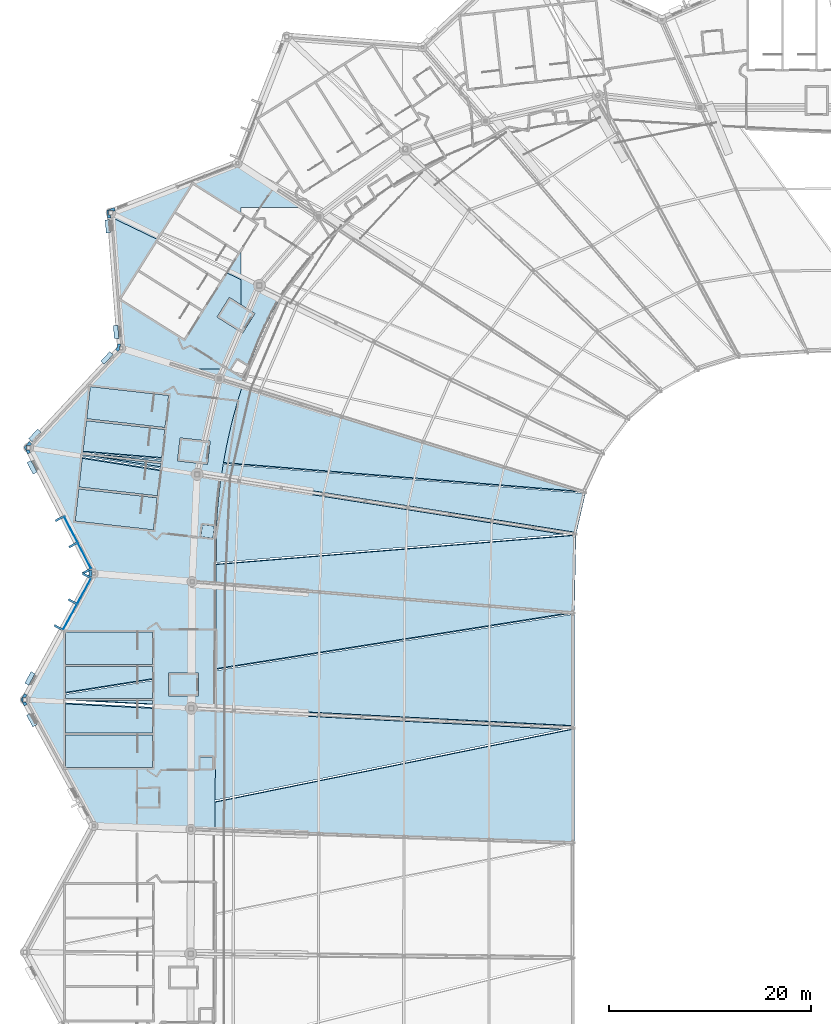
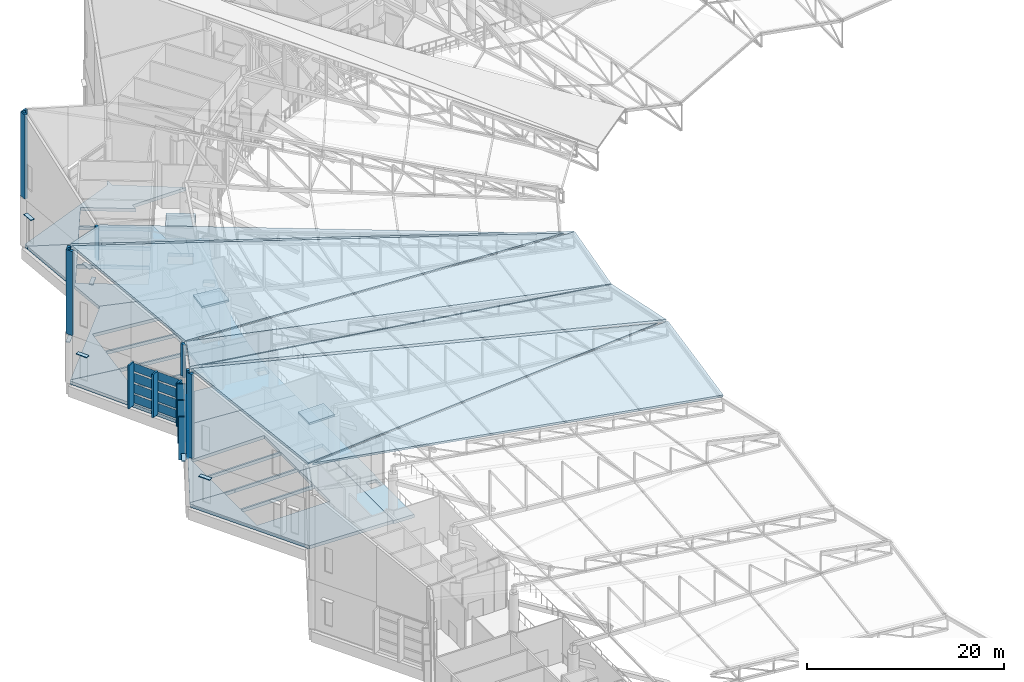
# One storey, part 235 of 344: 34 plates, 19 slabs, 2 elements without a shape of their own.
"""IFC4 building model written with IfcOpenShell, lengths in metres."""

from ifc_helpers import new_model, si_unit, direction, frame, origin, origin_2d, place, context, subcontext, project, spatial, polyline, rectangle, outline, extrude, material, layer, layer_set, type_object, element, aggregate, save


model = new_model("IFC4")

# Units and contexts
model_context = context("Model", 3, precision=1e-05, world=origin(), true_north=direction((0.0, 1.0)))
body_context = subcontext(model_context, "Body", "Model", "MODEL_VIEW")
ifc_project = project(units=[si_unit("LENGTHUNIT", "METRE"), si_unit("AREAUNIT", "SQUARE_METRE"), si_unit("VOLUMEUNIT", "CUBIC_METRE"), si_unit("PLANEANGLEUNIT", "RADIAN"), si_unit("MASSUNIT", "GRAM", prefix="KILO")], contexts=[model_context])

# Site, building, storey
site_placement = place(None, origin())
site = spatial("IfcSite", under=ifc_project, at=site_placement, CompositionType="ELEMENT")
building_placement = place(site_placement, origin())
building = spatial("IfcBuilding", under=site, at=building_placement, Name="Meseta Stadium", CompositionType="ELEMENT")
storey_placement = place(building_placement, frame((0.0, 0.0, 24.0)))
storey = spatial("IfcBuildingStorey", under=building, at=storey_placement, Name="L04", CompositionType="ELEMENT", Elevation=24.0)

# Plates
ifc_material_1 = material(Name="White precast concrete C40/50", Category="concrete")
ifc_layer_1 = layer(ifc_material_1, 0.199951171875)
ifc_layer_set_1 = layer_set([ifc_layer_1], Name="Brise-soleil fin 200x900")
plate_type_1 = type_object("IfcPlateType", Name="Brise-soleil fin 200x900", PredefinedType="USERDEFINED", material=ifc_layer_set_1)
for number, where, z_axis, x_axis, name in (
    (1, (-97.99853515625, 49.168701171875, 0.0), (0.0, 0.0, 1.0), (0.460015515268, -0.887910877122, 0.0), "Brise-soleil fin F28.1"),
    (2, (-96.653076171875, 46.571533203125, 0.0), (0.0, 0.0, 1.0), (0.460015515268, -0.887910877122, 0.0), "Brise-soleil fin F28.2"),
    (3, (-95.3076171875, 43.974365234375, 0.0), (0.0, 0.0, 1.0), (0.460015515268, -0.887910877122, 0.0), "Brise-soleil fin F28.3"),
    (4, (-95.31201171875, 43.539794921875, 0.0), (0.0, 0.0, 1.0), (-0.477867090202, -0.878432151109, 0.0), "Brise-soleil fin F29.1"),
    (5, (-96.709716796875, 40.970458984375, 0.0), (0.0, 0.0, 1.0), (-0.477867090202, -0.878432151109, 0.0), "Brise-soleil fin F29.2"),
    (6, (-98.107421875, 38.401123046875, 0.0), (0.0, 0.0, 1.0), (-0.477867090202, -0.878432151109, 0.0), "Brise-soleil fin F29.3"),
):
    element("IfcPlate", number, at=place(storey_placement, frame(where, z_axis=z_axis, x_axis=x_axis)), inside=storey, type_object=plate_type_1, Name=name, ObjectType="FIN", PredefinedType="USERDEFINED", context=body_context, shape_type="SweptSolid", body=[
        extrude(rectangle(XDim=0.199951171875, YDim=0.89990234375, at=origin_2d()), origin(), (0.0, 0.0, 1.0), 5.35009765625),
    ])

# Curtain wall, plates
ifc_material_2 = material(Name="Steel S355", Category="steel")
ifc_layer_2 = layer(ifc_material_2, 0.300048828125)
ifc_layer_set_2 = layer_set([ifc_layer_2], Name="Valley atrium curtain wall")
curtain_wall_type = type_object("IfcCurtainWallType", Name="Valley atrium curtain wall", PredefinedType="NOTDEFINED", material=ifc_layer_set_2)
curtain_wall_1_placement = place(storey_placement, origin())
curtain_wall_1 = element("IfcCurtainWall", 7, at=curtain_wall_1_placement, inside=storey, type_object=curtain_wall_type, Name="Valley atrium glazing F28", PredefinedType="NOTDEFINED")
ifc_material_3 = material(Name="Glass", Category="glass")
ifc_layer_3 = layer(ifc_material_3, 0.035888671875)
ifc_layer_set_3 = layer_set([ifc_layer_3], Name="CW glass panel 36")
plate_type_2 = type_object("IfcPlateType", Name="CW glass panel 36", PredefinedType="CURTAIN_PANEL", material=ifc_layer_set_3)
plate_1_placement = place(storey_placement, frame((-96.859619140625, 48.111572265625, 0.199951171875), z_axis=(0.0, 0.0, 1.0), x_axis=(0.460015515377, -0.887910877066, 0.0)))
plate_1 = element("IfcPlate", 8, at=plate_1_placement, type_object=plate_type_2, Name="CWA panel 1.1", PredefinedType="CURTAIN_PANEL", context=body_context, shape_type="SweptSolid", body=[
    extrude(rectangle(XDim=2.77490234375, YDim=0.035888671875, at=origin_2d()), origin(), (0.0, 0.0, 1.0), 1.03759765625),
])
plate_2_placement = place(storey_placement, frame((-96.859619140625, 48.111572265625, 1.4375), z_axis=(0.0, 0.0, 1.0), x_axis=(0.460015515377, -0.887910877066, 0.0)))
plate_2 = element("IfcPlate", 9, at=plate_2_placement, type_object=plate_type_2, Name="CWA panel 1.2", PredefinedType="CURTAIN_PANEL", context=body_context, shape_type="SweptSolid", body=[
    extrude(rectangle(XDim=2.77490234375, YDim=0.035888671875, at=origin_2d()), origin(), (0.0, 0.0, 1.0), 1.137451171875),
])
plate_3_placement = place(storey_placement, frame((-96.859619140625, 48.111572265625, 2.77490234375), z_axis=(0.0, 0.0, 1.0), x_axis=(0.460015515377, -0.887910877066, 0.0)))
plate_3 = element("IfcPlate", 10, at=plate_3_placement, type_object=plate_type_2, Name="CWA panel 1.3", PredefinedType="CURTAIN_PANEL", context=body_context, shape_type="SweptSolid", body=[
    extrude(rectangle(XDim=2.77490234375, YDim=0.035888671875, at=origin_2d()), origin(), (0.0, 0.0, 1.0), 1.137451171875),
])
plate_4_placement = place(storey_placement, frame((-96.859619140625, 48.111572265625, 4.112548828125), z_axis=(0.0, 0.0, 1.0), x_axis=(0.460015515377, -0.887910877066, 0.0)))
plate_4 = element("IfcPlate", 11, at=plate_4_placement, type_object=plate_type_2, Name="CWA panel 1.4", PredefinedType="CURTAIN_PANEL", context=body_context, shape_type="SweptSolid", body=[
    extrude(rectangle(XDim=2.77490234375, YDim=0.035888671875, at=origin_2d()), origin(), (0.0, 0.0, 1.0), 1.03759765625),
])
plate_5_placement = place(storey_placement, frame((-95.51416015625, 45.514404296875, 0.199951171875), z_axis=(0.0, 0.0, 1.0), x_axis=(0.460015515377, -0.887910877066, 0.0)))
plate_5 = element("IfcPlate", 12, at=plate_5_placement, type_object=plate_type_2, Name="CWA panel 2.1", PredefinedType="CURTAIN_PANEL", context=body_context, shape_type="SweptSolid", body=[
    extrude(rectangle(XDim=2.77490234375, YDim=0.035888671875, at=origin_2d()), origin(), (0.0, 0.0, 1.0), 1.03759765625),
])
plate_6_placement = place(storey_placement, frame((-95.51416015625, 45.514404296875, 1.4375), z_axis=(0.0, 0.0, 1.0), x_axis=(0.460015515377, -0.887910877066, 0.0)))
plate_6 = element("IfcPlate", 13, at=plate_6_placement, type_object=plate_type_2, Name="CWA panel 2.2", PredefinedType="CURTAIN_PANEL", context=body_context, shape_type="SweptSolid", body=[
    extrude(rectangle(XDim=2.77490234375, YDim=0.035888671875, at=origin_2d()), origin(), (0.0, 0.0, 1.0), 1.137451171875),
])
plate_7_placement = place(storey_placement, frame((-95.51416015625, 45.514404296875, 2.77490234375), z_axis=(0.0, 0.0, 1.0), x_axis=(0.460015515377, -0.887910877066, 0.0)))
plate_7 = element("IfcPlate", 14, at=plate_7_placement, type_object=plate_type_2, Name="CWA panel 2.3", PredefinedType="CURTAIN_PANEL", context=body_context, shape_type="SweptSolid", body=[
    extrude(rectangle(XDim=2.77490234375, YDim=0.035888671875, at=origin_2d()), origin(), (0.0, 0.0, 1.0), 1.137451171875),
])
plate_8_placement = place(storey_placement, frame((-95.51416015625, 45.514404296875, 4.112548828125), z_axis=(0.0, 0.0, 1.0), x_axis=(0.460015515377, -0.887910877066, 0.0)))
plate_8 = element("IfcPlate", 15, at=plate_8_placement, type_object=plate_type_2, Name="CWA panel 2.4", PredefinedType="CURTAIN_PANEL", context=body_context, shape_type="SweptSolid", body=[
    extrude(rectangle(XDim=2.77490234375, YDim=0.035888671875, at=origin_2d()), origin(), (0.0, 0.0, 1.0), 1.03759765625),
])
aggregate(curtain_wall_1, [plate_1, plate_2, plate_3, plate_4, plate_5, plate_6, plate_7, plate_8])

curtain_wall_2_placement = place(storey_placement, origin())
curtain_wall_2 = element("IfcCurtainWall", 16, at=curtain_wall_2_placement, inside=storey, type_object=curtain_wall_type, Name="Valley atrium glazing F29", PredefinedType="NOTDEFINED")
plate_9_placement = place(storey_placement, frame((-95.5498046875, 42.004150390625, 0.199951171875), z_axis=(0.0, 0.0, 1.0), x_axis=(-0.477867090218, -0.8784321511, 0.0)))
plate_9 = element("IfcPlate", 17, at=plate_9_placement, type_object=plate_type_2, Name="CWA panel 1.1", PredefinedType="CURTAIN_PANEL", context=body_context, shape_type="SweptSolid", body=[
    extrude(rectangle(XDim=2.77490234375, YDim=0.035888671875, at=origin_2d()), origin(), (0.0, 0.0, 1.0), 1.03759765625),
])
plate_10_placement = place(storey_placement, frame((-95.5498046875, 42.004150390625, 1.4375), z_axis=(0.0, 0.0, 1.0), x_axis=(-0.477867090218, -0.8784321511, 0.0)))
plate_10 = element("IfcPlate", 18, at=plate_10_placement, type_object=plate_type_2, Name="CWA panel 1.2", PredefinedType="CURTAIN_PANEL", context=body_context, shape_type="SweptSolid", body=[
    extrude(rectangle(XDim=2.77490234375, YDim=0.035888671875, at=origin_2d()), origin(), (0.0, 0.0, 1.0), 1.137451171875),
])
plate_11_placement = place(storey_placement, frame((-95.5498046875, 42.004150390625, 2.77490234375), z_axis=(0.0, 0.0, 1.0), x_axis=(-0.477867090218, -0.8784321511, 0.0)))
plate_11 = element("IfcPlate", 19, at=plate_11_placement, type_object=plate_type_2, Name="CWA panel 1.3", PredefinedType="CURTAIN_PANEL", context=body_context, shape_type="SweptSolid", body=[
    extrude(rectangle(XDim=2.77490234375, YDim=0.035888671875, at=origin_2d()), origin(), (0.0, 0.0, 1.0), 1.137451171875),
])
plate_12_placement = place(storey_placement, frame((-95.5498046875, 42.004150390625, 4.112548828125), z_axis=(0.0, 0.0, 1.0), x_axis=(-0.477867090218, -0.8784321511, 0.0)))
plate_12 = element("IfcPlate", 20, at=plate_12_placement, type_object=plate_type_2, Name="CWA panel 1.4", PredefinedType="CURTAIN_PANEL", context=body_context, shape_type="SweptSolid", body=[
    extrude(rectangle(XDim=2.77490234375, YDim=0.035888671875, at=origin_2d()), origin(), (0.0, 0.0, 1.0), 1.03759765625),
])
plate_13_placement = place(storey_placement, frame((-96.947509765625, 39.434814453125, 0.199951171875), z_axis=(0.0, 0.0, 1.0), x_axis=(-0.477867090218, -0.8784321511, 0.0)))
plate_13 = element("IfcPlate", 21, at=plate_13_placement, type_object=plate_type_2, Name="CWA panel 2.1", PredefinedType="CURTAIN_PANEL", context=body_context, shape_type="SweptSolid", body=[
    extrude(rectangle(XDim=2.77490234375, YDim=0.035888671875, at=origin_2d()), origin(), (0.0, 0.0, 1.0), 1.03759765625),
])
plate_14_placement = place(storey_placement, frame((-96.947509765625, 39.434814453125, 1.4375), z_axis=(0.0, 0.0, 1.0), x_axis=(-0.477867090218, -0.8784321511, 0.0)))
plate_14 = element("IfcPlate", 22, at=plate_14_placement, type_object=plate_type_2, Name="CWA panel 2.2", PredefinedType="CURTAIN_PANEL", context=body_context, shape_type="SweptSolid", body=[
    extrude(rectangle(XDim=2.77490234375, YDim=0.035888671875, at=origin_2d()), origin(), (0.0, 0.0, 1.0), 1.137451171875),
])
plate_15_placement = place(storey_placement, frame((-96.947509765625, 39.434814453125, 2.77490234375), z_axis=(0.0, 0.0, 1.0), x_axis=(-0.477867090218, -0.8784321511, 0.0)))
plate_15 = element("IfcPlate", 23, at=plate_15_placement, type_object=plate_type_2, Name="CWA panel 2.3", PredefinedType="CURTAIN_PANEL", context=body_context, shape_type="SweptSolid", body=[
    extrude(rectangle(XDim=2.77490234375, YDim=0.035888671875, at=origin_2d()), origin(), (0.0, 0.0, 1.0), 1.137451171875),
])
plate_16_placement = place(storey_placement, frame((-96.947509765625, 39.434814453125, 4.112548828125), z_axis=(0.0, 0.0, 1.0), x_axis=(-0.477867090218, -0.8784321511, 0.0)))
plate_16 = element("IfcPlate", 24, at=plate_16_placement, type_object=plate_type_2, Name="CWA panel 2.4", PredefinedType="CURTAIN_PANEL", context=body_context, shape_type="SweptSolid", body=[
    extrude(rectangle(XDim=2.77490234375, YDim=0.035888671875, at=origin_2d()), origin(), (0.0, 0.0, 1.0), 1.03759765625),
])
aggregate(curtain_wall_2, [plate_9, plate_10, plate_11, plate_12, plate_13, plate_14, plate_15, plate_16])

# Slabs
ifc_material_4 = material(Name="Concrete C40/50", Category="concrete")
ifc_layer_4 = layer(ifc_material_4, 0.25)
ifc_layer_set_4 = layer_set([ifc_layer_4], Name="Core roof slab 250")
slab_type_1 = type_object("IfcSlabType", Name="Core roof slab 250", PredefinedType="ROOF", material=ifc_layer_set_4)
slab_1_placement = place(storey_placement, frame((0.0, 0.0, 4.60009765625)))
element("IfcSlab", 25, at=slab_1_placement, inside=storey, type_object=slab_type_1, Name="Core 14 lift overrun roof", PredefinedType="ROOF", context=body_context, shape_type="SweptSolid", body=[
    extrude(outline(polyline([(-81.16796875, 71.093505859375), (-78.627685546875, 69.49755859375), (-79.851318359375, 67.550048828125), (-82.3916015625, 69.14599609375), (-81.16796875, 71.093505859375)])), origin(), (0.0, 0.0, 1.0), 0.25),
])
slab_2_placement = place(storey_placement, frame((0.0, 0.0, 4.60009765625)))
element("IfcSlab", 26, at=slab_2_placement, inside=storey, type_object=slab_type_1, Name="Core 15 lift overrun roof", PredefinedType="ROOF", context=body_context, shape_type="SweptSolid", body=[
    extrude(outline(polyline([(-86.048095703125, 57.17919921875), (-83.06689453125, 56.84326171875), (-83.324462890625, 54.5576171875), (-86.305419921875, 54.8935546875), (-86.048095703125, 57.17919921875)])), origin(), (0.0, 0.0, 1.0), 0.25),
])
slab_3_placement = place(storey_placement, frame((0.0, 0.0, 4.60009765625)))
element("IfcSlab", 27, at=slab_3_placement, inside=storey, type_object=slab_type_1, Name="Core 16 lift overrun roof", PredefinedType="ROOF", context=body_context, shape_type="SweptSolid", body=[
    extrude(outline(polyline([(-87.199951171875, 33.89990234375), (-84.199951171875, 33.89990234375), (-84.199951171875, 31.60009765625), (-87.199951171875, 31.60009765625), (-87.199951171875, 33.89990234375)])), origin(), (0.0, 0.0, 1.0), 0.25),
])
ifc_material_5 = material(Name="Concrete C40/50", Category="concrete")
ifc_layer_5 = layer(ifc_material_5, 0.39990234375)
ifc_layer_set_5 = layer_set([ifc_layer_5], Name="Floor slab 400")
slab_type_2 = type_object("IfcSlabType", Name="Floor slab 400", PredefinedType="FLOOR", material=ifc_layer_set_5)
slab_4_placement = place(storey_placement, frame((0.0, 0.0, -0.39990234375)))
element("IfcSlab", 28, at=slab_4_placement, inside=storey, type_object=slab_type_2, Name="Floor slab L04 sector 21 panel 01", PredefinedType="FLOOR", context=body_context, shape_type="SweptSolid", body=[
    extrude(outline(polyline([(-87.94580078125, 54.62548828125), (-87.985595703125, 54.272216796875), (-84.335693359375, 53.68408203125), (-84.0673828125, 54.842529296875), (-86.08447265625, 55.06982421875), (-85.87158203125, 56.9580078125), (-83.635498046875, 56.7060546875), (-82.169189453125, 63.03369140625), (-81.75390625, 64.0), (-84.956787109375, 64.0), (-91.8818359375, 66.171142578125), (-91.872802734375, 66.051513671875), (-100.910888671875, 56.353759765625), (-95.3837890625, 55.463623046875), (-87.94580078125, 54.62548828125)]), holes=[polyline([(-95.67431640625, 55.697509765625), (-95.316162109375, 58.87744140625), (-87.565185546875, 58.004150390625), (-87.923583984375, 54.82421875), (-95.67431640625, 55.697509765625)]), polyline([(-95.293701171875, 59.076171875), (-94.935302734375, 62.256103515625), (-87.1845703125, 61.3828125), (-87.542724609375, 58.202880859375), (-95.293701171875, 59.076171875)])]), origin(), (0.0, 0.0, 1.0), 0.39990234375),
])
slab_5_placement = place(storey_placement, frame((0.0, 0.0, -0.39990234375)))
element("IfcSlab", 29, at=slab_5_placement, inside=storey, type_object=slab_type_2, Name="Floor slab L04 sector 21 panel 02", PredefinedType="FLOOR", context=body_context, shape_type="SweptSolid", body=[
    extrude(outline(polyline([(-82.11572265625, 69.208984375), (-81.10498046875, 70.81787109375), (-80.0, 70.12353515625), (-80.0, 72.84228515625), (-81.504150390625, 73.565673828125), (-82.01708984375, 72.749267578125), (-88.282958984375, 76.686279296875), (-88.2158203125, 76.793212890625), (-92.87451171875, 79.03369140625), (-91.8818359375, 66.171142578125), (-84.956787109375, 64.0), (-81.75390625, 64.0), (-82.13427734375, 63.114990234375), (-79.852783203125, 62.399658203125), (-79.347412109375, 63.8759765625), (-79.30078125, 64.0), (-78.799072265625, 65.337158203125), (-78.208984375, 66.782470703125), (-77.5771484375, 68.21044921875), (-76.904296875, 69.6201171875), (-76.15234375, 70.99169921875), (-78.303466796875, 72.0263671875), (-79.308349609375, 69.68896484375), (-78.903564453125, 69.4345703125), (-79.914306640625, 67.82568359375), (-82.11572265625, 69.208984375)]), holes=[polyline([(-81.015625, 63.91162109375), (-80.377197265625, 64.927734375), (-79.361083984375, 64.289306640625), (-80.0, 63.273681640625), (-81.015625, 63.91162109375)]), polyline([(-83.9326171875, 69.700927734375), (-85.635009765625, 66.991455078125), (-91.90087890625, 70.9287109375), (-90.1982421875, 73.63818359375), (-83.9326171875, 69.700927734375)]), polyline([(-82.123779296875, 72.579833984375), (-83.826171875, 69.870361328125), (-90.091796875, 73.807373046875), (-88.389404296875, 76.516845703125), (-82.123779296875, 72.579833984375)])]), origin(), (0.0, 0.0, 1.0), 0.39990234375),
])
slab_6_placement = place(storey_placement, frame((0.0, 0.0, -0.39990234375)))
element("IfcSlab", 30, at=slab_6_placement, inside=storey, type_object=slab_type_2, Name="Floor slab L04 sector 21 panel 03", PredefinedType="FLOOR", context=body_context, shape_type="SweptSolid", body=[
    extrude(outline(polyline([(-80.124267578125, 84.98388671875), (-80.365478515625, 84.365478515625), (-92.908447265625, 79.474609375), (-92.87451171875, 79.03369140625), (-88.2158203125, 76.793212890625), (-86.58056640625, 79.395751953125), (-80.314697265625, 75.458740234375), (-81.504150390625, 73.565673828125), (-80.0, 72.84228515625), (-80.0, 70.12353515625), (-79.308349609375, 69.68896484375), (-78.197998046875, 72.27197265625), (-80.0, 73.154296875), (-80.0, 75.959716796875), (-80.208251953125, 75.628173828125), (-86.47412109375, 79.565185546875), (-84.771484375, 82.274658203125), (-80.0, 79.276611328125), (-80.0, 80.0), (-73.699951171875, 80.0), (-80.0, 84.126220703125), (-80.0, 84.89990234375), (-80.124267578125, 84.98388671875)])), origin(), (0.0, 0.0, 1.0), 0.39990234375),
])
slab_7_placement = place(storey_placement, frame((0.0, 0.0, -0.39990234375)))
element("IfcSlab", 31, at=slab_7_placement, inside=storey, type_object=slab_type_2, Name="Floor slab L04 sector 21 panel 04", PredefinedType="FLOOR", context=body_context, shape_type="SweptSolid", body=[
    extrude(outline(polyline([(-79.852783203125, 62.399658203125), (-82.122802734375, 63.111328125), (-82.15771484375, 63.030029296875), (-83.62353515625, 56.70458984375), (-83.2880859375, 56.6669921875), (-83.500732421875, 54.77880859375), (-84.055419921875, 54.84130859375), (-84.055419921875, 54.841064453125), (-84.0556640625, 54.83984375), (-84.323974609375, 53.682373046875), (-81.974853515625, 53.303955078125), (-81.732421875, 54.83544921875), (-81.444091796875, 56.368896484375), (-81.11181640625, 57.89306640625), (-80.735595703125, 59.406982421875), (-80.31591796875, 60.90966796875), (-79.852783203125, 62.399658203125)])), origin(), (0.0, 0.0, 1.0), 0.39990234375),
])
slab_8_placement = place(storey_placement, frame((0.0, 0.0, -0.39990234375)))
element("IfcSlab", 32, at=slab_8_placement, inside=storey, type_object=slab_type_2, Name="Floor slab L04 sector 28 panel 02", PredefinedType="FLOOR", context=body_context, shape_type="SweptSolid", body=[
    extrude(outline(polyline([(-101.39990234375, 31.25), (-94.60009765625, 18.75), (-84.97314453125, 18.41064453125), (-84.939697265625, 30.533935546875), (-88.800048828125, 30.74560546875), (-88.800048828125, 27.949951171875), (-97.39990234375, 27.949951171875), (-97.39990234375, 31.14990234375), (-96.176025390625, 31.14990234375), (-101.301513671875, 31.430908203125), (-101.39990234375, 31.25)]), holes=[polyline([(-97.39990234375, 27.75), (-88.800048828125, 27.75), (-88.800048828125, 24.550048828125), (-97.39990234375, 24.550048828125), (-97.39990234375, 27.75)])]), origin(), (0.0, 0.0, 1.0), 0.39990234375),
])
slab_9_placement = place(storey_placement, frame((0.0, 0.0, -0.39990234375)))
element("IfcSlab", 33, at=slab_9_placement, inside=storey, type_object=slab_type_2, Name="Floor slab L04 sector 28 panel 03", PredefinedType="FLOOR", context=body_context, shape_type="SweptSolid", body=[
    extrude(outline(polyline([(-81.977783203125, 53.2841796875), (-87.98779296875, 54.252197265625), (-88.30419921875, 51.44580078125), (-96.05517578125, 52.319091796875), (-95.697509765625, 55.493896484375), (-100.927490234375, 56.336181640625), (-101.0517578125, 56.202880859375), (-94.60009765625, 43.75), (-94.736328125, 43.49951171875), (-82.47802734375, 42.55859375), (-82.44091796875, 48.63525390625), (-82.330810546875, 50.19287109375), (-82.176025390625, 51.74609375), (-81.977783203125, 53.2841796875)]), holes=[polyline([(-96.077392578125, 52.1201171875), (-88.326416015625, 51.246826171875), (-88.684814453125, 48.06689453125), (-96.435791015625, 48.9404296875), (-96.077392578125, 52.1201171875)]), polyline([(-83.84716796875, 48.57861328125), (-82.65478515625, 48.444091796875), (-82.7890625, 47.251708984375), (-83.9814453125, 47.385986328125), (-83.84716796875, 48.57861328125)])]), origin(), (0.0, 0.0, 1.0), 0.39990234375),
])
slab_10_placement = place(storey_placement, frame((0.0, 0.0, -0.39990234375)))
element("IfcSlab", 34, at=slab_10_placement, inside=storey, type_object=slab_type_2, Name="Floor slab L04 sector 28 panel 06", PredefinedType="FLOOR", context=body_context, shape_type="SweptSolid", body=[
    extrude(outline(polyline([(-88.800048828125, 31.14990234375), (-88.800048828125, 30.74560546875), (-82.53759765625, 30.40234375), (-82.51025390625, 36.48095703125), (-82.47802734375, 42.55859375), (-94.736328125, 43.49951171875), (-101.301513671875, 31.430908203125), (-96.176025390625, 31.14990234375), (-88.800048828125, 31.14990234375)]), holes=[polyline([(-87.0, 31.800048828125), (-87.0, 33.699951171875), (-84.39990234375, 33.699951171875), (-84.39990234375, 31.800048828125), (-87.0, 31.800048828125)]), polyline([(-88.800048828125, 31.35009765625), (-97.39990234375, 31.35009765625), (-97.39990234375, 34.550048828125), (-88.800048828125, 34.550048828125), (-88.800048828125, 31.35009765625)]), polyline([(-88.800048828125, 34.75), (-97.39990234375, 34.75), (-97.39990234375, 37.949951171875), (-88.800048828125, 37.949951171875), (-88.800048828125, 34.75)])]), origin(), (0.0, 0.0, 1.0), 0.39990234375),
])
slab_11_placement = place(storey_placement, frame((0.0, 0.0, -0.39990234375)))
element("IfcSlab", 35, at=slab_11_placement, inside=storey, type_object=slab_type_2, Name="Floor slab L04 sector 28 panel 09", PredefinedType="FLOOR", context=body_context, shape_type="SweptSolid", body=[
    extrude(outline(polyline([(-82.56640625, 22.296142578125), (-82.545654296875, 28.3759765625), (-82.53759765625, 30.40234375), (-84.939697265625, 30.533935546875), (-84.973388671875, 18.321533203125), (-82.577392578125, 18.24267578125), (-82.56640625, 22.296142578125)]), holes=[polyline([(-84.050048828125, 24.39990234375), (-84.050048828125, 25.60009765625), (-82.85009765625, 25.60009765625), (-82.85009765625, 24.39990234375), (-84.050048828125, 24.39990234375)])]), origin(), (0.0, 0.0, 1.0), 0.39990234375),
])

# Plates
ifc_material_6 = material(Name="White precast concrete C40/50", Category="concrete")
ifc_layer_6 = layer(ifc_material_6, 0.320068359375)
ifc_layer_set_6 = layer_set([ifc_layer_6], Name="Fold closer plate 320")
plate_type_3 = type_object("IfcPlateType", Name="Fold closer plate 320", PredefinedType="USERDEFINED", material=ifc_layer_set_6)
plate_17_placement = place(storey_placement, frame((0.0, 0.0, 6.0)))
element("IfcPlate", 36, at=plate_17_placement, inside=storey, type_object=plate_type_3, Name="Pleated fascia fold closer L04 F25", ObjectType="CLADDING", PredefinedType="USERDEFINED", context=body_context, shape_type="SweptSolid", body=[
    extrude(outline(polyline([(-93.2880859375, 79.712890625), (-93.22900390625, 78.94873046875), (-92.909912109375, 78.973388671875), (-92.932373046875, 79.2646484375), (-93.1083984375, 79.2646484375), (-93.1181640625, 79.271728515625), (-93.118408203125, 79.674560546875), (-93.115478515625, 79.681640625), (-93.1083984375, 79.6845703125), (-92.70654296875, 79.684326171875), (-92.698486328125, 79.675537109375), (-92.698486328125, 79.599365234375), (-92.45751953125, 79.693359375), (-92.57373046875, 79.991455078125), (-93.2880859375, 79.712890625)])), origin(), (0.0, 0.0, 1.0), 10.4326171875),
])
plate_18_placement = place(storey_placement, frame((0.0, 0.0, 6.0)))
element("IfcPlate", 37, at=plate_18_placement, inside=storey, type_object=plate_type_3, Name="Pleated fascia fold closer L04 F26", ObjectType="CLADDING", PredefinedType="USERDEFINED", context=body_context, shape_type="SweptSolid", body=[
    extrude(outline(polyline([(-92.243896484375, 66.181396484375), (-92.442626953125, 65.96826171875), (-92.20849609375, 65.75), (-92.03271484375, 65.938720703125), (-92.031005859375, 66.20703125), (-92.022705078125, 66.211669921875), (-91.92529296875, 66.211669921875), (-91.947265625, 66.496826171875), (-92.266357421875, 66.47216796875), (-92.243896484375, 66.181396484375)])), origin(), (0.0, 0.0, 1.0), 3.96484375),
])
plate_19_placement = place(storey_placement, frame((0.0, 0.0, 6.0)))
element("IfcPlate", 38, at=plate_19_placement, inside=storey, type_object=plate_type_3, Name="Pleated fascia fold closer L04 F27", ObjectType="CLADDING", PredefinedType="USERDEFINED", context=body_context, shape_type="SweptSolid", body=[
    extrude(outline(polyline([(-101.488037109375, 56.2626953125), (-101.141357421875, 55.593505859375), (-100.857421875, 55.74072265625), (-100.98779296875, 55.992919921875), (-101.251708984375, 55.992919921875), (-101.2587890625, 55.995849609375), (-101.26171875, 56.001953125), (-101.26171875, 56.40283203125), (-101.259521484375, 56.4091796875), (-101.251708984375, 56.412841796875), (-100.91064453125, 56.412841796875), (-100.740478515625, 56.595458984375), (-100.974609375, 56.813720703125), (-101.488037109375, 56.2626953125)])), origin(), (0.0, 0.0, 1.0), 10.4326171875),
])
plate_20_placement = place(storey_placement, frame((0.0, 0.0, 6.0)))
element("IfcPlate", 39, at=plate_20_placement, inside=storey, type_object=plate_type_3, Name="Pleated fascia fold closer L04 F28", ObjectType="CLADDING", PredefinedType="USERDEFINED", context=body_context, shape_type="SweptSolid", body=[
    extrude(outline(polyline([(-95.007568359375, 43.754150390625), (-95.131103515625, 43.52685546875), (-94.85009765625, 43.3740234375), (-94.732666015625, 43.590087890625), (-94.7529296875, 43.59033203125), (-94.760009765625, 43.59912109375), (-94.760009765625, 43.89990234375), (-94.7529296875, 43.90966796875), (-94.727783203125, 43.909912109375), (-94.84228515625, 44.130859375), (-95.12646484375, 43.983642578125), (-95.007568359375, 43.754150390625)])), origin(), (0.0, 0.0, 1.0), 3.977783203125),
])
plate_21_placement = place(storey_placement, frame((0.0, 0.0, 6.0)))
element("IfcPlate", 40, at=plate_21_placement, inside=storey, type_object=plate_type_3, Name="Pleated fascia fold closer L04 F29", ObjectType="CLADDING", PredefinedType="USERDEFINED", context=body_context, shape_type="SweptSolid", body=[
    extrude(outline(polyline([(-101.809814453125, 31.25), (-101.477294921875, 30.638916015625), (-101.1962890625, 30.791748046875), (-101.331298828125, 31.0400390625), (-101.60009765625, 31.0400390625), (-101.6083984375, 31.04443359375), (-101.610107421875, 31.449951171875), (-101.607177734375, 31.45703125), (-101.60009765625, 31.4599609375), (-101.331298828125, 31.4599609375), (-101.1962890625, 31.708251953125), (-101.477294921875, 31.861083984375), (-101.809814453125, 31.25)])), origin(), (0.0, 0.0, 1.0), 10.446044921875),
])
ifc_material_7 = material(Name="White precast concrete C40/50", Category="concrete")
ifc_layer_7 = layer(ifc_material_7, 0.080078125)
ifc_layer_set_7 = layer_set([ifc_layer_7], Name="Louvre hood 1300x450")
plate_type_4 = type_object("IfcPlateType", Name="Louvre hood 1300x450", PredefinedType="USERDEFINED", material=ifc_layer_set_7)
for number, where, z_axis, x_axis, name in (
    (41, (-92.383544921875, 67.6669921875, 4.25), (0.0, 0.0, 1.0), (0.076936568886, -0.997035989505, 0.0), "Louvre hood L04 F26"),
    (42, (-93.19140625, 78.135986328125, 4.25), (0.0, 0.0, 1.0), (0.076936568886, -0.997035989505, 0.0), "Louvre hood L04 F26"),
    (43, (-93.279296875, 65.10693359375, 4.25), (0.0, 0.0, 1.0), (-0.681793203245, -0.731544959663, 0.0), "Louvre hood L04 F27"),
    (44, (-100.438232421875, 57.42578125, 4.25), (0.0, 0.0, 1.0), (-0.681793203245, -0.731544959663, 0.0), "Louvre hood L04 F27"),
    (45, (-100.70849609375, 54.26904296875, 4.25), (0.0, 0.0, 1.0), (0.460015515268, -0.887910877122, 0.0), "Louvre hood L04 F28"),
    (46, (-100.919921875, 33.356689453125, 4.25), (0.0, 0.0, 1.0), (-0.477867090202, -0.878432151109, 0.0), "Louvre hood L04 F29"),
    (47, (-100.744384765625, 29.239013671875, 4.25), (0.0, 0.0, 1.0), (0.477867090202, -0.878432151109, 0.0), "Louvre hood L04 F30"),
):
    element("IfcPlate", number, at=place(storey_placement, frame(where, z_axis=z_axis, x_axis=x_axis)), inside=storey, type_object=plate_type_4, Name=name, ObjectType="LOUVRE", PredefinedType="USERDEFINED", context=body_context, shape_type="SweptSolid", body=[
        extrude(rectangle(XDim=1.300048828125, YDim=0.449951171875, at=origin_2d()), origin(), (0.0, 0.0, 1.0), 0.080078125),
    ])

# Slabs
ifc_material_8 = material(Name="Precast concrete C40/50", Category="concrete")
ifc_layer_8 = layer(ifc_material_8, 0.300048828125)
ifc_layer_set_8 = layer_set([ifc_layer_8], Name="Roof plate 300")
slab_type_3 = type_object("IfcSlabType", Name="Roof plate 300", PredefinedType="ROOF", material=ifc_layer_set_8)
slab_12_placement = place(storey_placement, frame((-97.57568359375, 55.83935546875, 16.091796875), z_axis=(0.26495579908, 0.543609189361, 0.796421668324), x_axis=(0.960665081365, -0.07755490891, -0.266660528668)))
element("IfcSlab", 48, at=slab_12_placement, inside=storey, type_object=slab_type_3, Name="Roof panel RP-27 A", PredefinedType="ROOF", context=body_context, shape_type="SweptSolid", body=[
    extrude(outline(polyline([(0.0, 0.0), (53.78938506950113, -8.881784197001252e-16), (52.45696612304628, -4.736257016440166), (0.0, 0.0)])), origin(), (0.0, 0.0, -1.0), 0.300048828125),
])
slab_13_placement = place(storey_placement, frame((-91.872802734375, 66.051513671875, 10.199951171875), z_axis=(0.276456474537, 0.358102084476, 0.891815403982), x_axis=(0.940311238072, -0.292430595828, -0.174066430364)))
element("IfcSlab", 49, at=slab_13_placement, inside=storey, type_object=slab_type_3, Name="Roof panel RP-27 B", PredefinedType="ROOF", context=body_context, shape_type="SweptSolid", body=[
    extrude(outline(polyline([(0.0, 0.0), (48.47988601529831, 8.881784197001252e-16), (-6.87376873773499, -13.27672712936009), (0.0, 0.0)])), origin(), (0.0, 0.0, -1.0), 0.300048828125),
])
slab_14_placement = place(storey_placement, frame((-46.982421875, 39.834228515625, 3.031494140625), z_axis=(0.127163496305, -0.22296413414, 0.966496994354), x_axis=(-0.985604231401, 0.081050067327, 0.148375151665)))
element("IfcSlab", 50, at=slab_14_placement, inside=storey, type_object=slab_type_3, Name="Roof panel RP-28 A", PredefinedType="ROOF", context=body_context, shape_type="SweptSolid", body=[
    extrude(outline(polyline([(0.0, 0.0), (47.70753863983217, 4.440892098500626e-16), (0.7359433584064762, -7.866591842861459), (0.0, 0.0)])), origin(), (0.0, 0.0, -1.0), 0.300048828125),
])
slab_15_placement = place(storey_placement, frame((-100.93359375, 55.974853515625, 16.87548828125), z_axis=(0.135383566003, -0.419894687473, 0.897418375947), x_axis=(0.964255299862, -0.152390795876, -0.21676891387)))
element("IfcSlab", 51, at=slab_15_placement, inside=storey, type_object=slab_type_3, Name="Roof panel RP-28 B", PredefinedType="ROOF", context=body_context, shape_type="SweptSolid", body=[
    extrude(outline(polyline([(0.0, 0.0), (54.80999698491533, 8.881784197001252e-16), (9.350230392127866, -11.974071297141498), (0.0, 0.0)])), origin(), (0.0, 0.0, -1.0), 0.300048828125),
])
slab_16_placement = place(storey_placement, frame((-99.8701171875, 31.3916015625, 16.62841796875), z_axis=(0.213540918425, 0.20173361792, 0.955878561094), x_axis=(0.95748696772, 0.151038853061, -0.245776263119)))
element("IfcSlab", 52, at=slab_16_placement, inside=storey, type_object=slab_type_3, Name="Roof panel RP-29 A", PredefinedType="ROOF", context=body_context, shape_type="SweptSolid", body=[
    extrude(outline(polyline([(0.0, 0.0), (55.235942728760435, -1.3322676295501878e-15), (52.98320765634238, -11.078090816823584), (0.0, 0.0)])), origin(), (0.0, 0.0, -1.0), 0.300048828125),
])
slab_17_placement = place(storey_placement, frame((-94.60009765625, 43.75, 10.199951171875), z_axis=(0.168496091482, 0.398741893553, 0.901451035543), x_axis=(0.985604310679, -0.081050522242, -0.148374376545)))
element("IfcSlab", 53, at=slab_17_placement, inside=storey, type_object=slab_type_3, Name="Roof panel RP-29 B", PredefinedType="ROOF", context=body_context, shape_type="SweptSolid", body=[
    extrude(outline(polyline([(0.0, 0.0), (47.91511287561072, 0.0), (-6.642689998324517, -14.160620508569195), (0.0, 0.0)])), origin(), (0.0, 0.0, -1.0), 0.300048828125),
])
slab_18_placement = place(storey_placement, frame((-46.996826171875, 17.072265625, 3.0576171875), z_axis=(0.138316712875, -0.202603862208, 0.969443222658), x_axis=(-0.988330096205, 0.034833089034, 0.148291189368)))
element("IfcSlab", 54, at=slab_18_placement, inside=storey, type_object=slab_type_3, Name="Roof panel RP-30 A", PredefinedType="ROOF", context=body_context, shape_type="SweptSolid", body=[
    extrude(outline(polyline([(0.0, 0.0), (47.74442874964297, 2.220446049250313e-16), (0.7366992832279161, -11.501741742463874), (0.0, 0.0)])), origin(), (0.0, 0.0, -1.0), 0.300048828125),
])
slab_19_placement = place(storey_placement, frame((-101.28369140625, 31.036376953125, 16.8837890625), z_axis=(0.171208254299, -0.397312969319, 0.90157092792), x_axis=(0.976914641483, -0.050213895718, -0.207644763799)))
element("IfcSlab", 55, at=slab_19_placement, inside=storey, type_object=slab_type_3, Name="Roof panel RP-30 B", PredefinedType="ROOF", context=body_context, shape_type="SweptSolid", body=[
    extrude(outline(polyline([(0.0, 0.0), (54.3718938822768, -8.881784197001252e-16), (8.476378455218567, -12.853198575396314), (0.0, 0.0)])), origin(), (0.0, 0.0, -1.0), 0.300048828125),
])

save(model, "model.ifc")
